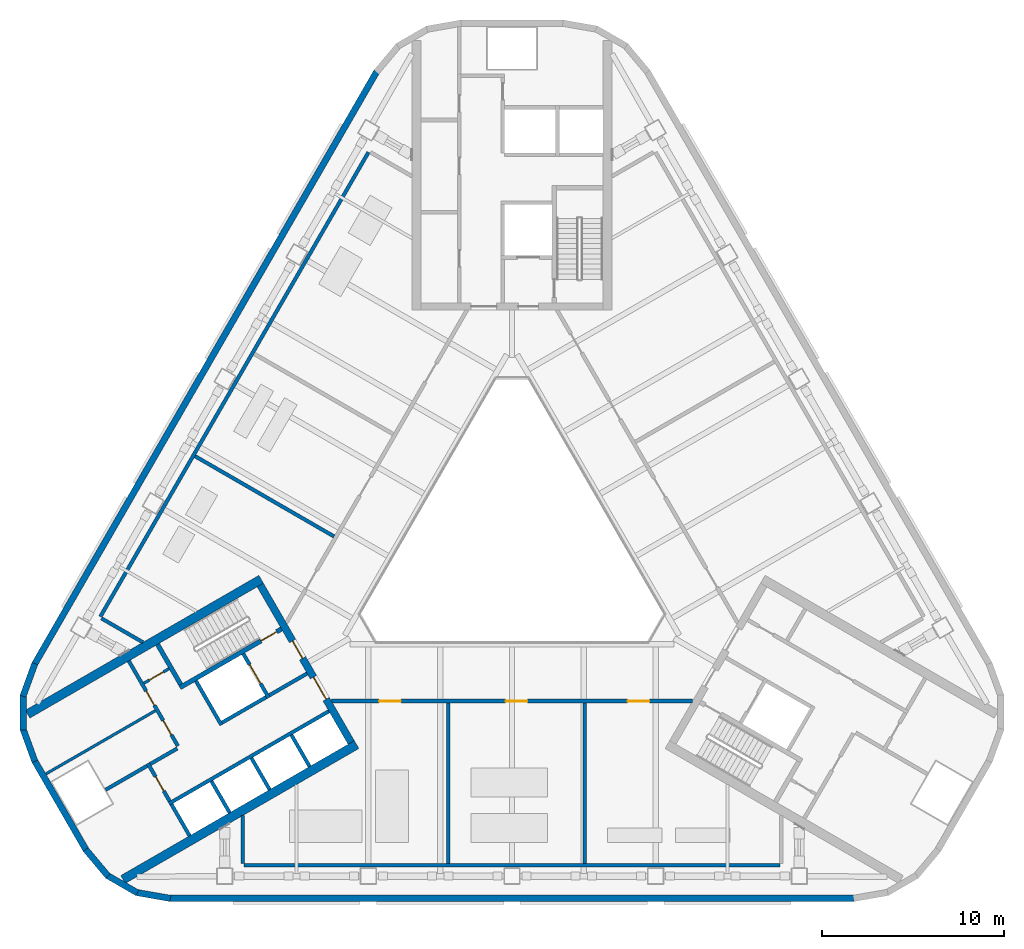
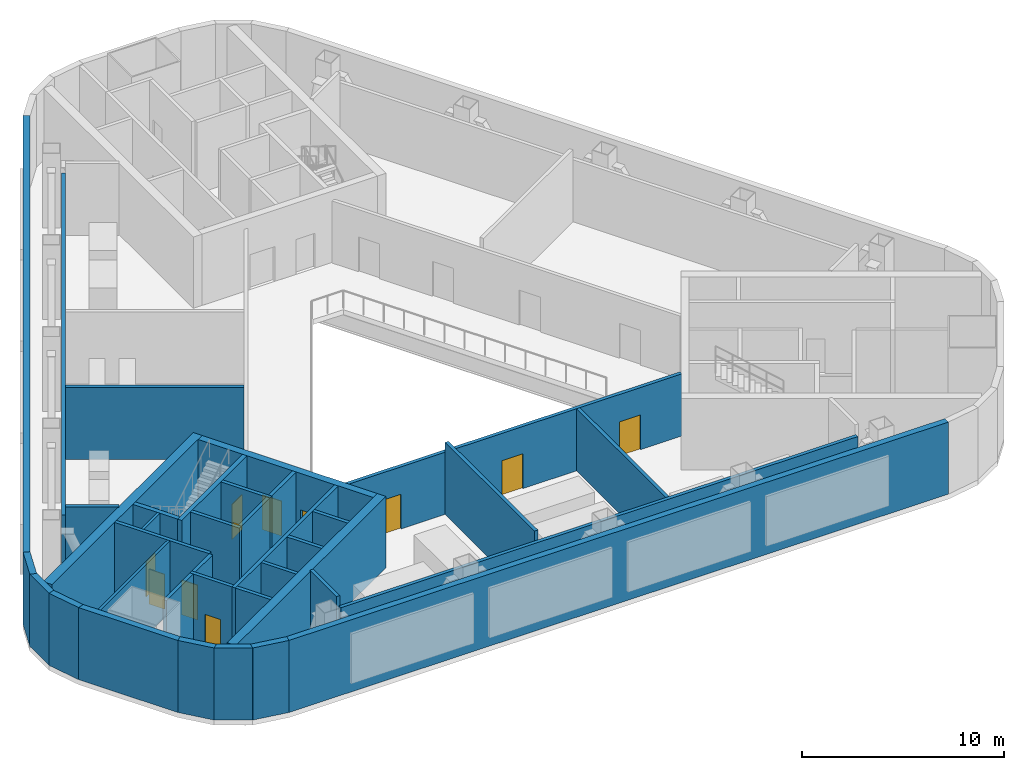
# One storey, part 6 of 14: 37 walls, 11 doors, 11 openings.
"""IFC4 building model written with IfcOpenShell, lengths in metres."""

from ifc_helpers import new_model, si_unit, direction, frame, frame_2d, origin, place, context, subcontext, project, spatial, rectangle, extrude, material, layer, layer_set, type_object, element, fill, save


model = new_model("IFC4")

# Units and contexts
model_context = context("Model", 3, precision=1e-05, world=origin(), true_north=direction((0.0, 1.0)))
body_context = subcontext(model_context, "Body", "Model", "MODEL_VIEW")
ifc_project = project(units=[si_unit("LENGTHUNIT", "METRE"), si_unit("AREAUNIT", "SQUARE_METRE"), si_unit("VOLUMEUNIT", "CUBIC_METRE"), si_unit("PLANEANGLEUNIT", "RADIAN"), si_unit("MASSUNIT", "GRAM", prefix="KILO")], contexts=[model_context])

# Site, building, storey
site_placement = place(None, origin())
site = spatial("IfcSite", under=ifc_project, at=site_placement, CompositionType="ELEMENT")
building_placement = place(site_placement, origin())
building = spatial("IfcBuilding", under=site, at=building_placement, Name="Apuvela Tower Hotel", CompositionType="ELEMENT")
storey_placement = place(building_placement, frame((0.0, 0.0, 142.10009765625)))
storey = spatial("IfcBuildingStorey", under=building, at=storey_placement, Name="L33 Plant", CompositionType="ELEMENT", Elevation=142.10009765625)

# Wall, openings, doors
ifc_material_1 = material(Name="Concrete C50/60", Category="concrete")
ifc_layer_1 = layer(ifc_material_1, 0.39990234375)
ifc_layer_set_1 = layer_set([ifc_layer_1], Name="COR-WALL-CORE-400")
wall_type_1 = type_object("IfcWallType", Name="COR-WALL-CORE-400", PredefinedType="SHEAR", material=ifc_layer_set_1)
wall_1_placement = place(storey_placement, frame((-13.844970703125, -2.219970703125, 0.0), z_axis=(0.0, 0.0, 1.0), x_axis=(0.500004234368, -0.866022959057, 0.0)))
wall_1 = element("IfcWall", 1, at=wall_1_placement, inside=storey, type_object=wall_type_1, Name="Core wall SW", PredefinedType="SHEAR", context=body_context, shape_type="SweptSolid", body=[
    extrude(rectangle(XDim=10.0, YDim=0.39990234375, at=frame_2d((5.0, 0.0))), origin(), (0.0, 0.0, 1.0), 4.2998046875),
])
opening_1_placement = place(wall_1_placement, frame((3.550048828125, 0.0, 0.0)))
opening_1 = element("IfcOpeningElement", 2, at=opening_1_placement, cuts=wall_1, Name="Opening W-FD", PredefinedType="OPENING", context=body_context, shape_type="SweptSolid", body=[
    extrude(rectangle(XDim=1.10009765625, YDim=2.10009765625, at=frame_2d((0.550048828125, 1.050048828125))), frame((0.0, 0.2099609375, 0.0), z_axis=(0.0, -1.0, 0.0), x_axis=(1.0, 0.0, 0.0)), (0.0, 0.0, 1.0), 0.419921875),
])
opening_2_placement = place(wall_1_placement, frame((5.85009765625, 0.0, 0.0)))
opening_2 = element("IfcOpeningElement", 3, at=opening_2_placement, cuts=wall_1, Name="Opening W-GD", PredefinedType="OPENING", context=body_context, shape_type="SweptSolid", body=[
    extrude(rectangle(XDim=1.39990234375, YDim=2.10009765625, at=frame_2d((0.699951171875, 1.050048828125))), frame((0.0, 0.2099609375, 0.0), z_axis=(0.0, -1.0, 0.0), x_axis=(1.0, 0.0, 0.0)), (0.0, 0.0, 1.0), 0.419921875),
])
ifc_material_2 = material(Name="Steel fire door, powder coated", Category="steel")
door_type_1 = type_object("IfcDoorType", Name="COR-FD-1100", OperationType="NOTDEFINED", PredefinedType="DOOR", material=ifc_material_2)
door_1_placement = place(opening_1_placement, frame((1.10009765625, 0.0, 0.0), z_axis=(0.0, 0.0, 1.0), x_axis=(-1.0, 0.0, 0.0)))
door_1 = element("IfcDoor", 4, at=door_1_placement, inside=storey, type_object=door_type_1, Name="Firefighting lobby door W-FD", OperationType="SINGLE_SWING_LEFT", OverallHeight=2.10009765625, OverallWidth=1.10009765625, PredefinedType="DOOR", context=body_context, shape_type="SweptSolid", body=[
    extrude(rectangle(XDim=1.10009765625, YDim=2.10009765625, at=frame_2d((0.550048828125, 1.050048828125))), frame((0.0, 0.02490234375, 0.0), z_axis=(0.0, -1.0, 0.0), x_axis=(1.0, 0.0, 0.0)), (0.0, 0.0, 1.0), 0.050048828125),
])
fill(opening_1, door_1)
ifc_material_3 = material(Name="Glazed steel fire door", Category="steel")
door_type_2 = type_object("IfcDoorType", Name="COR-GD-1400", OperationType="DOUBLE_DOOR_SINGLE_SWING", PredefinedType="DOOR", material=ifc_material_3)
door_2_placement = place(opening_2_placement, frame((1.39990234375, 0.0, 0.0), z_axis=(0.0, 0.0, 1.0), x_axis=(-1.0, 0.0, 0.0)))
door_2 = element("IfcDoor", 5, at=door_2_placement, inside=storey, type_object=door_type_2, Name="Lift lobby door W-GD", OperationType="DOUBLE_DOOR_SINGLE_SWING", OverallHeight=2.10009765625, OverallWidth=1.39990234375, PredefinedType="DOOR", context=body_context, shape_type="SweptSolid", body=[
    extrude(rectangle(XDim=1.39990234375, YDim=2.10009765625, at=frame_2d((0.699951171875, 1.050048828125))), frame((0.0, 0.02490234375, 0.0), z_axis=(0.0, -1.0, 0.0), x_axis=(1.0, 0.0, 0.0)), (0.0, 0.0, 1.0), 0.050048828125),
])
fill(opening_2, door_2)

# Walls
ifc_layer_2 = layer(ifc_material_1, 0.5)
ifc_layer_set_2 = layer_set([ifc_layer_2], Name="COR-WALL-CORE-500")
wall_type_2 = type_object("IfcWallType", Name="COR-WALL-CORE-500", PredefinedType="SHEAR", material=ifc_layer_set_2)
for number, where, z_axis, x_axis, name in (
    (6, (-13.796630859375, -1.9033203125, 0.0), (0.0, 0.0, 1.0), (-0.866025009528, -0.500000682871, 0.0), "Core wall SW"),
    (7, (-8.546630859375, -10.99658203125, 0.0), (0.0, 0.0, 1.0), (-0.866025009528, -0.500000682871, 0.0), "Core wall SW"),
):
    element("IfcWall", number, at=place(storey_placement, frame(where, z_axis=z_axis, x_axis=x_axis)), inside=storey, type_object=wall_type_2, Name=name, PredefinedType="SHEAR", context=body_context, shape_type="SweptSolid", body=[
        extrude(rectangle(XDim=14.8369140625, YDim=0.5, at=frame_2d((7.41845703125, 0.0))), origin(), (0.0, 0.0, 1.0), 4.2998046875),
    ])

# Wall, opening, door
ifc_material_4 = material(Name="Blockwork 150 mm plastered", Category="masonry")
ifc_layer_3 = layer(ifc_material_4, 0.14990234375)
ifc_layer_set_3 = layer_set([ifc_layer_3], Name="COR-WALL-PART-150")
wall_type_3 = type_object("IfcWallType", Name="COR-WALL-PART-150", PredefinedType="PARTITIONING", material=ifc_layer_set_3)
wall_2_placement = place(storey_placement, frame((-18.866455078125, -6.822265625, 0.0), z_axis=(0.0, 0.0, 1.0), x_axis=(-0.866028054938, -0.499995408039, 0.0)))
wall_2 = element("IfcWall", 8, at=wall_2_placement, inside=storey, type_object=wall_type_3, Name="Partition SW", PredefinedType="PARTITIONING", context=body_context, shape_type="SweptSolid", body=[
    extrude(rectangle(XDim=1.60009765625, YDim=0.14990234375, at=frame_2d((0.800048828125, 0.0))), origin(), (0.0, 0.0, 1.0), 4.2998046875),
])
opening_3_placement = place(wall_2_placement, frame((0.35009765625, 0.0, 0.0)))
opening_3 = element("IfcOpeningElement", 9, at=opening_3_placement, cuts=wall_2, Name="Opening W-RD", PredefinedType="OPENING", context=body_context, shape_type="SweptSolid", body=[
    extrude(rectangle(XDim=0.89990234375, YDim=2.10009765625, at=frame_2d((0.449951171875, 1.050048828125))), frame((0.0, 0.0849609375, 0.0), z_axis=(0.0, -1.0, 0.0), x_axis=(1.0, 0.0, 0.0)), (0.0, 0.0, 1.0), 0.169921875),
])
ifc_material_5 = material(Name="Steel access door, powder coated", Category="steel")
door_type_3 = type_object("IfcDoorType", Name="COR-RD-900", OperationType="NOTDEFINED", PredefinedType="DOOR", material=ifc_material_5)
door_3_placement = place(opening_3_placement, frame((0.89990234375, 0.0, 0.0), z_axis=(0.0, 0.0, 1.0), x_axis=(-1.0, 0.0, 0.0)))
door_3 = element("IfcDoor", 10, at=door_3_placement, inside=storey, type_object=door_type_3, Name="Riser door W-RD", OperationType="SINGLE_SWING_RIGHT", OverallHeight=2.10009765625, OverallWidth=0.89990234375, PredefinedType="DOOR", context=body_context, shape_type="SweptSolid", body=[
    extrude(rectangle(XDim=0.89990234375, YDim=2.10009765625, at=frame_2d((0.449951171875, 1.050048828125))), frame((0.0, 0.02490234375, 0.0), z_axis=(0.0, -1.0, 0.0), x_axis=(1.0, 0.0, 0.0)), (0.0, 0.0, 1.0), 0.050048828125),
])
fill(opening_3, door_3)

# Wall
wall_3_placement = place(storey_placement, frame((-19.61279296875, -9.129638671875, 0.0), z_axis=(0.0, 0.0, 1.0), x_axis=(-0.866031734426, -0.499989034847, 0.0)))
element("IfcWall", 11, at=wall_3_placement, inside=storey, type_object=wall_type_3, Name="Partition SW", PredefinedType="PARTITIONING", context=body_context, shape_type="SweptSolid", body=[
    extrude(rectangle(XDim=6.949951171875, YDim=0.14990234375, at=frame_2d((3.47509765625, 0.0))), origin(), (0.0, 0.0, 1.0), 4.2998046875),
])

# Wall, openings, doors
ifc_material_6 = material(Name="Blockwork 200 mm plastered", Category="masonry")
ifc_layer_4 = layer(ifc_material_6, 0.199951171875)
ifc_layer_set_4 = layer_set([ifc_layer_4], Name="COR-WALL-PART-200")
wall_type_4 = type_object("IfcWallType", Name="COR-WALL-PART-200", PredefinedType="PARTITIONING", material=ifc_layer_set_4)
wall_4_placement = place(storey_placement, frame((-21.076171875, -6.39501953125, 0.0), z_axis=(0.0, 0.0, 1.0), x_axis=(0.50001468107, -0.866016927499, 0.0)))
wall_4 = element("IfcWall", 12, at=wall_4_placement, inside=storey, type_object=wall_type_4, Name="Partition SW", PredefinedType="PARTITIONING", context=body_context, shape_type="SweptSolid", body=[
    extrude(rectangle(XDim=5.399658203125, YDim=0.199951171875, at=frame_2d((2.69970703125, 0.0))), origin(), (0.0, 0.0, 1.0), 4.2998046875),
])
opening_4_placement = place(wall_4_placement, frame((1.91259765625, 0.0, 0.0)))
opening_4 = element("IfcOpeningElement", 13, at=opening_4_placement, cuts=wall_4, Name="Opening W-RS1", PredefinedType="OPENING", context=body_context, shape_type="SweptSolid", body=[
    extrude(rectangle(XDim=0.89990234375, YDim=2.10009765625, at=frame_2d((0.449951171875, 1.050048828125))), frame((0.0, 0.10986328125, 0.0), z_axis=(0.0, -1.0, 0.0), x_axis=(1.0, 0.0, 0.0)), (0.0, 0.0, 1.0), 0.219970703125),
])
opening_5_placement = place(wall_4_placement, frame((3.78759765625, 0.0, 0.0)))
opening_5 = element("IfcOpeningElement", 14, at=opening_5_placement, cuts=wall_4, Name="Opening W-RS2", PredefinedType="OPENING", context=body_context, shape_type="SweptSolid", body=[
    extrude(rectangle(XDim=0.89990234375, YDim=2.10009765625, at=frame_2d((0.449951171875, 1.050048828125))), frame((0.0, 0.10986328125, 0.0), z_axis=(0.0, -1.0, 0.0), x_axis=(1.0, 0.0, 0.0)), (0.0, 0.0, 1.0), 0.219970703125),
])
door_type_4 = type_object("IfcDoorType", Name="COR-DR-900", OperationType="NOTDEFINED", PredefinedType="DOOR", material=ifc_material_2)
door_4_placement = place(opening_4_placement, frame((0.89990234375, 0.0, 0.0), z_axis=(0.0, 0.0, 1.0), x_axis=(-1.0, 0.0, 0.0)))
door_4 = element("IfcDoor", 15, at=door_4_placement, inside=storey, type_object=door_type_4, Name="Store door W-RS1", OperationType="SINGLE_SWING_LEFT", OverallHeight=2.10009765625, OverallWidth=0.89990234375, PredefinedType="DOOR", context=body_context, shape_type="SweptSolid", body=[
    extrude(rectangle(XDim=0.89990234375, YDim=2.10009765625, at=frame_2d((0.449951171875, 1.050048828125))), frame((0.0, 0.02490234375, 0.0), z_axis=(0.0, -1.0, 0.0), x_axis=(1.0, 0.0, 0.0)), (0.0, 0.0, 1.0), 0.050048828125),
])
fill(opening_4, door_4)
door_5_placement = place(opening_5_placement, frame((0.89990234375, 0.0, 0.0), z_axis=(0.0, 0.0, 1.0), x_axis=(-1.0, 0.0, 0.0)))
door_5 = element("IfcDoor", 16, at=door_5_placement, inside=storey, type_object=door_type_4, Name="Store door W-RS2", OperationType="SINGLE_SWING_LEFT", OverallHeight=2.10009765625, OverallWidth=0.89990234375, PredefinedType="DOOR", context=body_context, shape_type="SweptSolid", body=[
    extrude(rectangle(XDim=0.89990234375, YDim=2.10009765625, at=frame_2d((0.449951171875, 1.050048828125))), frame((0.0, 0.02490234375, 0.0), z_axis=(0.0, -1.0, 0.0), x_axis=(1.0, 0.0, 0.0)), (0.0, 0.0, 1.0), 0.050048828125),
])
fill(opening_5, door_5)

# Wall
ifc_layer_5 = layer(ifc_material_1, 0.199951171875)
ifc_layer_set_5 = layer_set([ifc_layer_5], Name="COR-WALL-SHAFT-200")
wall_type_5 = type_object("IfcWallType", Name="COR-WALL-SHAFT-200", PredefinedType="SHEAR", material=ifc_layer_set_5)
wall_5_placement = place(storey_placement, frame((-17.38134765625, -7.49462890625, 0.0), z_axis=(0.0, 0.0, 1.0), x_axis=(0.500011755427, -0.866018616679, 0.0)))
element("IfcWall", 17, at=wall_5_placement, inside=storey, type_object=wall_type_5, Name="Shaft wall SW", PredefinedType="SHEAR", context=body_context, shape_type="SweptSolid", body=[
    extrude(rectangle(XDim=2.80029296875, YDim=0.199951171875, at=frame_2d((1.400146484375, 0.0))), origin(), (0.0, 0.0, 1.0), 4.2998046875),
])

# Wall, opening, door
wall_6_placement = place(storey_placement, frame((-14.783203125, -5.99462890625, 0.0), z_axis=(0.0, 0.0, 1.0), x_axis=(0.49994636267, -0.866056369097, 0.0)))
wall_6 = element("IfcWall", 18, at=wall_6_placement, inside=storey, type_object=wall_type_5, Name="Shaft wall SW", PredefinedType="SHEAR", context=body_context, shape_type="SweptSolid", body=[
    extrude(rectangle(XDim=2.800048828125, YDim=0.199951171875, at=frame_2d((1.39990234375, 0.0))), origin(), (0.0, 0.0, 1.0), 4.2998046875),
])
opening_6_placement = place(wall_6_placement, frame((0.699951171875, 0.0, 0.0)))
opening_6 = element("IfcOpeningElement", 19, at=opening_6_placement, cuts=wall_6, Name="Opening W-LD-FS2", PredefinedType="OPENING", context=body_context, shape_type="SweptSolid", body=[
    extrude(rectangle(XDim=1.199951171875, YDim=2.10009765625, at=frame_2d((0.60009765625, 1.050048828125))), frame((0.0, 0.10986328125, 0.0), z_axis=(0.0, -1.0, 0.0), x_axis=(1.0, 0.0, 0.0)), (0.0, 0.0, 1.0), 0.219970703125),
])
ifc_material_7 = material(Name="Stainless steel lift landing door", Category="steel")
door_type_5 = type_object("IfcDoorType", Name="COR-LD-1200", OperationType="DOUBLE_DOOR_SLIDING", PredefinedType="DOOR", material=ifc_material_7)
door_6_placement = place(opening_6_placement, origin())
door_6 = element("IfcDoor", 20, at=door_6_placement, inside=storey, type_object=door_type_5, Name="Lift landing door W-LD-FS2", OperationType="DOUBLE_DOOR_SLIDING", OverallHeight=2.10009765625, OverallWidth=1.199951171875, PredefinedType="DOOR", context=body_context, shape_type="SweptSolid", body=[
    extrude(rectangle(XDim=1.199951171875, YDim=2.10009765625, at=frame_2d((0.60009765625, 1.050048828125))), frame((0.0, 0.02490234375, 0.0), z_axis=(0.0, -1.0, 0.0), x_axis=(1.0, 0.0, 0.0)), (0.0, 0.0, 1.0), 0.050048828125),
])
fill(opening_6, door_6)

# Walls
wall_7_placement = place(storey_placement, frame((-13.519775390625, -8.383056640625, 0.0), z_axis=(0.0, 0.0, 1.0), x_axis=(-0.866034573852, -0.49998411664, 0.0)))
element("IfcWall", 21, at=wall_7_placement, inside=storey, type_object=wall_type_5, Name="Shaft wall SW", PredefinedType="SHEAR", context=body_context, shape_type="SweptSolid", body=[
    extrude(rectangle(XDim=2.7998046875, YDim=0.199951171875, at=frame_2d((1.39990234375, 0.0))), origin(), (0.0, 0.0, 1.0), 4.2998046875),
])
wall_8_placement = place(storey_placement, frame((-11.26806640625, -7.0830078125, 0.0), z_axis=(0.0, 0.0, 1.0), x_axis=(-0.866050077142, -0.499957262057, 0.0)))
element("IfcWall", 22, at=wall_8_placement, inside=storey, type_object=wall_type_5, Name="Shaft wall SW", PredefinedType="SHEAR", context=body_context, shape_type="SweptSolid", body=[
    extrude(rectangle(XDim=2.400146484375, YDim=0.199951171875, at=frame_2d((1.2001953125, 0.0))), origin(), (0.0, 0.0, 1.0), 4.2998046875),
])
wall_9_placement = place(storey_placement, frame((-10.068115234375, -9.16162109375, 0.0), z_axis=(0.0, 0.0, 1.0), x_axis=(-0.866032725843, -0.499987317609, 0.0)))
element("IfcWall", 23, at=wall_9_placement, inside=storey, type_object=wall_type_5, Name="Shaft wall SW", PredefinedType="SHEAR", context=body_context, shape_type="SweptSolid", body=[
    extrude(rectangle(XDim=10.159912109375, YDim=0.199951171875, at=frame_2d((5.080078125, 0.0))), origin(), (0.0, 0.0, 1.0), 4.2998046875),
])

# Wall, opening, door
wall_10_placement = place(storey_placement, frame((-20.030517578125, -12.0263671875, 0.0), z_axis=(0.0, 0.0, 1.0), x_axis=(0.500033551112, -0.866006032174, 0.0)))
wall_10 = element("IfcWall", 24, at=wall_10_placement, inside=storey, type_object=wall_type_5, Name="Shaft wall SW", PredefinedType="SHEAR", context=body_context, shape_type="SweptSolid", body=[
    extrude(rectangle(XDim=2.400146484375, YDim=0.199951171875, at=frame_2d((1.2001953125, 0.0))), origin(), (0.0, 0.0, 1.0), 4.2998046875),
])
opening_7_placement = place(wall_10_placement, frame((0.85009765625, 0.0, 0.0)))
opening_7 = element("IfcOpeningElement", 25, at=opening_7_placement, cuts=wall_10, Name="Opening W-REP", PredefinedType="OPENING", context=body_context, shape_type="SweptSolid", body=[
    extrude(rectangle(XDim=0.89990234375, YDim=2.10009765625, at=frame_2d((0.449951171875, 1.050048828125))), frame((0.0, 0.10986328125, 0.0), z_axis=(0.0, -1.0, 0.0), x_axis=(1.0, 0.0, 0.0)), (0.0, 0.0, 1.0), 0.219970703125),
])
door_7_placement = place(opening_7_placement, frame((0.89990234375, 0.0, 0.0), z_axis=(0.0, 0.0, 1.0), x_axis=(-1.0, 0.0, 0.0)))
door_7 = element("IfcDoor", 26, at=door_7_placement, inside=storey, type_object=door_type_4, Name="Store door W-REP", OperationType="SINGLE_SWING_LEFT", OverallHeight=2.10009765625, OverallWidth=0.89990234375, PredefinedType="DOOR", context=body_context, shape_type="SweptSolid", body=[
    extrude(rectangle(XDim=0.89990234375, YDim=2.10009765625, at=frame_2d((0.449951171875, 1.050048828125))), frame((0.0, 0.02490234375, 0.0), z_axis=(0.0, -1.0, 0.0), x_axis=(1.0, 0.0, 0.0)), (0.0, 0.0, 1.0), 0.050048828125),
])
fill(opening_7, door_7)

# Walls
wall_11_placement = place(storey_placement, frame((-18.412841796875, -11.2080078125, 0.0), z_axis=(0.0, 0.0, 1.0), x_axis=(-0.866038183914, -0.499977863513, 0.0)))
element("IfcWall", 27, at=wall_11_placement, inside=storey, type_object=wall_type_5, Name="Shaft wall SW", PredefinedType="SHEAR", context=body_context, shape_type="SweptSolid", body=[
    extrude(rectangle(XDim=1.7099609375, YDim=0.199951171875, at=frame_2d((0.85498046875, 0.0))), origin(), (0.0, 0.0, 1.0), 4.2998046875),
])
for number, where, z_axis, x_axis, name in (
    (28, (-12.131103515625, -10.468017578125, 0.0), (0.0, 0.0, 1.0), (0.499972520799, -0.866041268327, 0.0), "Shaft wall SW"),
    (29, (-14.330810546875, -11.738037109375, 0.0), (0.0, 0.0, 1.0), (0.499972520799, -0.866041268327, 0.0), "Shaft wall SW"),
    (30, (-16.530517578125, -13.008056640625, 0.0), (0.0, 0.0, 1.0), (0.50002537861, -0.866010750942, 0.0), "Shaft wall SW"),
    (31, (-18.73046875, -14.278076171875, 0.0), (0.0, 0.0, 1.0), (0.50002537861, -0.866010750942, 0.0), "Shaft wall SW"),
):
    element("IfcWall", number, at=place(storey_placement, frame(where, z_axis=z_axis, x_axis=x_axis)), inside=storey, type_object=wall_type_5, Name=name, PredefinedType="SHEAR", context=body_context, shape_type="SweptSolid", body=[
        extrude(rectangle(XDim=2.0, YDim=0.199951171875, at=frame_2d((1.0, 0.0))), origin(), (0.0, 0.0, 1.0), 4.2998046875),
    ])
wall_12_placement = place(storey_placement, frame((-20.06689453125, -12.1630859375, 0.0), z_axis=(0.0, 0.0, 1.0), x_axis=(-0.866060851709, -0.499938597367, 0.0)))
element("IfcWall", 32, at=wall_12_placement, inside=storey, type_object=wall_type_5, Name="Shaft wall SW", PredefinedType="SHEAR", context=body_context, shape_type="SweptSolid", body=[
    extrude(rectangle(XDim=2.639892578125, YDim=0.199951171875, at=frame_2d((1.31982421875, 0.0))), origin(), (0.0, 0.0, 1.0), 4.2998046875),
])

# Wall, opening, door
ifc_layer_6 = layer(ifc_material_1, 0.25)
ifc_layer_set_6 = layer_set([ifc_layer_6], Name="COR-WALL-STAIR-250")
wall_type_6 = type_object("IfcWallType", Name="COR-WALL-STAIR-250", PredefinedType="SHEAR", material=ifc_layer_set_6)
wall_13_placement = place(storey_placement, frame((-12.6806640625, -4.636474609375, 0.0), z_axis=(0.0, 0.0, 1.0), x_axis=(-0.866021702275, -0.500006411147, 0.0)))
wall_13 = element("IfcWall", 33, at=wall_13_placement, inside=storey, type_object=wall_type_6, Name="Stair wall SW", PredefinedType="SHEAR", context=body_context, shape_type="SweptSolid", body=[
    extrude(rectangle(XDim=6.4501953125, YDim=0.25, at=frame_2d((3.22509765625, 0.0))), origin(), (0.0, 0.0, 1.0), 4.2998046875),
])
opening_8_placement = place(wall_13_placement, frame((0.300048828125, 0.0, 0.0)))
opening_8 = element("IfcOpeningElement", 34, at=opening_8_placement, cuts=wall_13, Name="Opening W-SD", PredefinedType="OPENING", context=body_context, shape_type="SweptSolid", body=[
    extrude(rectangle(XDim=1.0, YDim=2.10009765625, at=frame_2d((0.5, 1.050048828125))), frame((0.0, 0.135009765625, 0.0), z_axis=(0.0, -1.0, 0.0), x_axis=(1.0, 0.0, 0.0)), (0.0, 0.0, 1.0), 0.27001953125),
])
door_type_6 = type_object("IfcDoorType", Name="COR-SD-1000", OperationType="NOTDEFINED", PredefinedType="DOOR", material=ifc_material_2)
door_8_placement = place(opening_8_placement, frame((1.0, 0.0, 0.0), z_axis=(0.0, 0.0, 1.0), x_axis=(-1.0, 0.0, 0.0)))
door_8 = element("IfcDoor", 35, at=door_8_placement, inside=storey, type_object=door_type_6, Name="Stair door W-SD", OperationType="SINGLE_SWING_LEFT", OverallHeight=2.10009765625, OverallWidth=1.0, PredefinedType="DOOR", context=body_context, shape_type="SweptSolid", body=[
    extrude(rectangle(XDim=1.0, YDim=2.10009765625, at=frame_2d((0.5, 1.050048828125))), frame((0.0, 0.02490234375, 0.0), z_axis=(0.0, -1.0, 0.0), x_axis=(1.0, 0.0, 0.0)), (0.0, 0.0, 1.0), 0.050048828125),
])
fill(opening_8, door_8)

# Walls
wall_14_placement = place(storey_placement, frame((-19.49560546875, -5.482421875, 0.0), z_axis=(0.0, 0.0, 1.0), x_axis=(0.499990435942, -0.866030925526, 0.0)))
element("IfcWall", 36, at=wall_14_placement, inside=storey, type_object=wall_type_6, Name="Stair wall SW", PredefinedType="SHEAR", context=body_context, shape_type="SweptSolid", body=[
    extrude(rectangle(XDim=2.5498046875, YDim=0.25, at=frame_2d((1.27490234375, 0.0))), origin(), (0.0, 0.0, 1.0), 4.2998046875),
])
ifc_material_8 = material(Name="Concrete C40/50, dark pigmented precast panel", Category="concrete")
ifc_layer_7 = layer(ifc_material_8, 0.35009765625)
ifc_layer_set_7 = layer_set([ifc_layer_7], Name="ENV-WALL-350")
wall_type_7 = type_object("IfcWallType", Name="ENV-WALL-350", PredefinedType="SOLIDWALL", material=ifc_layer_set_7)
wall_15_placement = place(storey_placement, frame((-7.440673828125, 26.0224609375, 0.0), z_axis=(0.0, 0.0, 1.0), x_axis=(-0.499998380999, -0.866026338513, 0.0)))
element("IfcWall", 37, at=wall_15_placement, inside=storey, type_object=wall_type_7, Name="External wall L33 Plant-07", PredefinedType="SOLIDWALL", context=body_context, shape_type="SweptSolid", body=[
    extrude(rectangle(XDim=37.63134765625, YDim=0.35009765625, at=frame_2d((18.815673828125, 0.0))), origin(), (0.0, 0.0, 1.0), 4.349853515625),
])
for number, where, z_axis, x_axis, name in (
    (38, (-26.24365234375, -6.539794921875, 0.0), (0.0, 0.0, 1.0), (-0.342030395486, -0.939688889242, 0.0), "External wall L33 Plant-08"),
    (39, (-26.88623046875, -8.27490234375, 0.0), (0.0, 0.0, 1.0), (0.0, -1.0, 0.0), "External wall L33 Plant-09"),
    (40, (-26.89697265625, -10.125244140625, 0.0), (0.0, 0.0, 1.0), (0.342030395486, -0.939688889242, 0.0), "External wall L33 Plant-10"),
):
    element("IfcWall", number, at=place(storey_placement, frame(where, z_axis=z_axis, x_axis=x_axis)), inside=storey, type_object=wall_type_7, Name=name, PredefinedType="SOLIDWALL", context=body_context, shape_type="SweptSolid", body=[
        extrude(rectangle(XDim=1.91015625, YDim=0.35009765625, at=frame_2d((0.955078125, 0.0))), origin(), (0.0, 0.0, 1.0), 4.349853515625),
    ])
wall_16_placement = place(storey_placement, frame((-26.25634765625, -11.892578125, 0.0), z_axis=(0.0, 0.0, 1.0), x_axis=(0.499986410639, -0.866033249463, 0.0)))
element("IfcWall", 41, at=wall_16_placement, inside=storey, type_object=wall_type_7, Name="External wall L33 Plant-11", PredefinedType="SOLIDWALL", context=body_context, shape_type="SweptSolid", body=[
    extrude(rectangle(XDim=5.657958984375, YDim=0.35009765625, at=frame_2d((2.8291015625, 0.0))), origin(), (0.0, 0.0, 1.0), 4.349853515625),
])
for number, where, z_axis, x_axis, name in (
    (42, (-23.44482421875, -16.767578125, 0.0), (0.0, 0.0, 1.0), (0.642808304945, -0.766027077259, 0.0), "External wall L33 Plant-12"),
    (43, (-22.263671875, -18.191650390625, 0.0), (0.0, 0.0, 1.0), (0.866000389056, -0.500043324278, 0.0), "External wall L33 Plant-13"),
):
    element("IfcWall", number, at=place(storey_placement, frame(where, z_axis=z_axis, x_axis=x_axis)), inside=storey, type_object=wall_type_7, Name=name, PredefinedType="SOLIDWALL", context=body_context, shape_type="SweptSolid", body=[
        extrude(rectangle(XDim=1.909912109375, YDim=0.35009765625, at=frame_2d((0.955078125, 0.0))), origin(), (0.0, 0.0, 1.0), 4.349853515625),
    ])
wall_17_placement = place(storey_placement, frame((-20.66650390625, -19.1259765625, 0.0), z_axis=(0.0, 0.0, 1.0), x_axis=(0.984798995425, -0.173697837091, 0.0)))
element("IfcWall", 44, at=wall_17_placement, inside=storey, type_object=wall_type_7, Name="External wall L33 Plant-14", PredefinedType="SOLIDWALL", context=body_context, shape_type="SweptSolid", body=[
    extrude(rectangle(XDim=1.91015625, YDim=0.35009765625, at=frame_2d((0.955078125, 0.0))), origin(), (0.0, 0.0, 1.0), 4.349853515625),
])
wall_18_placement = place(storey_placement, frame((-18.81591796875, -19.455078125, 0.0), z_axis=(0.0, 0.0, 1.0), x_axis=(1.0, 0.0, 0.0)))
element("IfcWall", 45, at=wall_18_placement, inside=storey, type_object=wall_type_7, Name="External wall L33 Plant-15", PredefinedType="SOLIDWALL", context=body_context, shape_type="SweptSolid", body=[
    extrude(rectangle(XDim=37.6318359375, YDim=0.35009765625, at=frame_2d((18.81591796875, 0.0))), origin(), (0.0, 0.0, 1.0), 4.349853515625),
])
ifc_material_9 = material(Name="Reinforced blockwork B15", Category="masonry")
ifc_layer_8 = layer(ifc_material_9, 0.199951171875)
ifc_layer_set_8 = layer_set([ifc_layer_8], Name="SPC-WALL-PLANT")
wall_type_8 = type_object("IfcWallType", Name="SPC-WALL-PLANT", PredefinedType="PARTITIONING", material=ifc_layer_set_8)
wall_19_placement = place(storey_placement, frame((-14.800048828125, -17.530029296875, 0.0), z_axis=(0.0, 0.0, 1.0), x_axis=(0.0, 1.0, 0.0)))
element("IfcWall", 46, at=wall_19_placement, inside=storey, type_object=wall_type_8, Name="Wall L33-S-P03", PredefinedType="PARTITIONING", context=body_context, shape_type="SweptSolid", body=[
    extrude(rectangle(XDim=2.634521484375, YDim=0.199951171875, at=frame_2d((1.3173828125, 0.0))), origin(), (0.0, 0.0, 1.0), 4.349853515625),
])
wall_20_placement = place(storey_placement, frame((-3.5, -17.530029296875, 0.0), z_axis=(0.0, 0.0, 1.0), x_axis=(0.0, 1.0, 0.0)))
element("IfcWall", 47, at=wall_20_placement, inside=storey, type_object=wall_type_8, Name="Wall L33-S-P04", PredefinedType="PARTITIONING", context=body_context, shape_type="SweptSolid", body=[
    extrude(rectangle(XDim=8.830078125, YDim=0.199951171875, at=frame_2d((4.4150390625, 0.0))), origin(), (0.0, 0.0, 1.0), 4.349853515625),
])
wall_21_placement = place(storey_placement, frame((4.0, -17.530029296875, 0.0), z_axis=(0.0, 0.0, 1.0), x_axis=(0.0, 1.0, 0.0)))
element("IfcWall", 48, at=wall_21_placement, inside=storey, type_object=wall_type_8, Name="Wall L33-S-P05", PredefinedType="PARTITIONING", context=body_context, shape_type="SweptSolid", body=[
    extrude(rectangle(XDim=8.830078125, YDim=0.199951171875, at=frame_2d((4.4150390625, 0.0))), origin(), (0.0, 0.0, 1.0), 3.75),
])
wall_22_placement = place(storey_placement, frame((-14.75, -17.6298828125, 0.0), z_axis=(0.0, 0.0, 1.0), x_axis=(1.0, 0.0, 0.0)))
element("IfcWall", 49, at=wall_22_placement, inside=storey, type_object=wall_type_8, Name="Wall L33-S-FUR2", PredefinedType="PARTITIONING", context=body_context, shape_type="SweptSolid", body=[
    extrude(rectangle(XDim=29.5, YDim=0.199951171875, at=frame_2d((14.75, 0.0))), origin(), (0.0, 0.0, 1.0), 3.75),
])

# Wall, openings, doors
wall_23_placement = place(storey_placement, frame((-9.930419921875, -8.60009765625, 0.0), z_axis=(0.0, 0.0, 1.0), x_axis=(1.0, 0.0, 0.0)))
wall_23 = element("IfcWall", 50, at=wall_23_placement, inside=storey, type_object=wall_type_8, Name="Wall L33-S-CW", PredefinedType="PARTITIONING", context=body_context, shape_type="SweptSolid", body=[
    extrude(rectangle(XDim=19.86083984375, YDim=0.199951171875, at=frame_2d((9.930419921875, 0.0))), origin(), (0.0, 0.0, 1.0), 3.75),
])
opening_9_placement = place(wall_23_placement, frame((2.62109375, 0.0, 0.0)))
opening_9 = element("IfcOpeningElement", 51, at=opening_9_placement, cuts=wall_23, Name="Opening L33-S08", PredefinedType="OPENING", context=body_context, shape_type="SweptSolid", body=[
    extrude(rectangle(XDim=1.199951171875, YDim=2.10009765625, at=frame_2d((0.60009765625, 1.050048828125))), frame((0.0, 0.10986328125, 0.0), z_axis=(0.0, -1.0, 0.0), x_axis=(1.0, 0.0, 0.0)), (0.0, 0.0, 1.0), 0.219970703125),
])
opening_10_placement = place(wall_23_placement, frame((9.58056640625, 0.0, 0.0)))
opening_10 = element("IfcOpeningElement", 52, at=opening_10_placement, cuts=wall_23, Name="Opening L33-S09", PredefinedType="OPENING", context=body_context, shape_type="SweptSolid", body=[
    extrude(rectangle(XDim=1.199951171875, YDim=2.10009765625, at=frame_2d((0.60009765625, 1.050048828125))), frame((0.0, 0.10986328125, 0.0), z_axis=(0.0, -1.0, 0.0), x_axis=(1.0, 0.0, 0.0)), (0.0, 0.0, 1.0), 0.219970703125),
])
opening_11_placement = place(wall_23_placement, frame((16.2900390625, 0.0, 0.0)))
opening_11 = element("IfcOpeningElement", 53, at=opening_11_placement, cuts=wall_23, Name="Opening L33-S10", PredefinedType="OPENING", context=body_context, shape_type="SweptSolid", body=[
    extrude(rectangle(XDim=1.199951171875, YDim=2.10009765625, at=frame_2d((0.60009765625, 1.050048828125))), frame((0.0, 0.10986328125, 0.0), z_axis=(0.0, -1.0, 0.0), x_axis=(1.0, 0.0, 0.0)), (0.0, 0.0, 1.0), 0.219970703125),
])
ifc_material_10 = material(Name="Steel fire door leaf", Category="steel")
door_type_7 = type_object("IfcDoorType", Name="SPC-DOOR-1200-PLANT", OperationType="NOTDEFINED", PredefinedType="DOOR", material=ifc_material_10)
door_9_placement = place(opening_9_placement, frame((1.199951171875, 0.0, 0.0), z_axis=(0.0, 0.0, 1.0), x_axis=(-1.0, 0.0, 0.0)))
door_9 = element("IfcDoor", 54, at=door_9_placement, inside=storey, type_object=door_type_7, Name="L33-S08", OperationType="SINGLE_SWING_LEFT", OverallHeight=2.10009765625, OverallWidth=1.199951171875, PredefinedType="DOOR", context=body_context, shape_type="SweptSolid", body=[
    extrude(rectangle(XDim=1.199951171875, YDim=2.10009765625, at=frame_2d((0.60009765625, 1.050048828125))), frame((0.0, 0.02490234375, 0.0), z_axis=(0.0, -1.0, 0.0), x_axis=(1.0, 0.0, 0.0)), (0.0, 0.0, 1.0), 0.050048828125),
])
fill(opening_9, door_9)
door_10_placement = place(opening_10_placement, frame((1.199951171875, 0.0, 0.0), z_axis=(0.0, 0.0, 1.0), x_axis=(-1.0, 0.0, 0.0)))
door_10 = element("IfcDoor", 55, at=door_10_placement, inside=storey, type_object=door_type_7, Name="L33-S09", OperationType="SINGLE_SWING_RIGHT", OverallHeight=2.10009765625, OverallWidth=1.199951171875, PredefinedType="DOOR", context=body_context, shape_type="SweptSolid", body=[
    extrude(rectangle(XDim=1.199951171875, YDim=2.10009765625, at=frame_2d((0.60009765625, 1.050048828125))), frame((0.0, 0.02490234375, 0.0), z_axis=(0.0, -1.0, 0.0), x_axis=(1.0, 0.0, 0.0)), (0.0, 0.0, 1.0), 0.050048828125),
])
fill(opening_10, door_10)
door_11_placement = place(opening_11_placement, frame((1.199951171875, 0.0, 0.0), z_axis=(0.0, 0.0, 1.0), x_axis=(-1.0, 0.0, 0.0)))
door_11 = element("IfcDoor", 56, at=door_11_placement, inside=storey, type_object=door_type_7, Name="L33-S10", OperationType="SINGLE_SWING_LEFT", OverallHeight=2.10009765625, OverallWidth=1.199951171875, PredefinedType="DOOR", context=body_context, shape_type="SweptSolid", body=[
    extrude(rectangle(XDim=1.199951171875, YDim=2.10009765625, at=frame_2d((0.60009765625, 1.050048828125))), frame((0.0, 0.02490234375, 0.0), z_axis=(0.0, -1.0, 0.0), x_axis=(1.0, 0.0, 0.0)), (0.0, 0.0, 1.0), 0.050048828125),
])
fill(opening_11, door_11)

# Walls
wall_24_placement = place(storey_placement, frame((-17.431396484375, 4.867919921875, 0.0), z_axis=(0.0, 0.0, 1.0), x_axis=(0.866022591837, -0.500004870404, 0.0)))
element("IfcWall", 57, at=wall_24_placement, inside=storey, type_object=wall_type_8, Name="Wall L33-NW-P05", PredefinedType="PARTITIONING", context=body_context, shape_type="SweptSolid", body=[
    extrude(rectangle(XDim=8.830078125, YDim=0.199951171875, at=frame_2d((4.4150390625, 0.0))), origin(), (0.0, 0.0, 1.0), 4.349853515625),
])
wall_25_placement = place(storey_placement, frame((-22.581298828125, -4.05224609375, 0.0), z_axis=(0.0, 0.0, 1.0), x_axis=(0.866038977738, -0.499976488486, 0.0)))
element("IfcWall", 58, at=wall_25_placement, inside=storey, type_object=wall_type_8, Name="Wall L33-NW-P06", PredefinedType="PARTITIONING", context=body_context, shape_type="SweptSolid", body=[
    extrude(rectangle(XDim=2.634521484375, YDim=0.199951171875, at=frame_2d((1.3173828125, 0.0))), origin(), (0.0, 0.0, 1.0), 4.349853515625),
])
wall_26_placement = place(storey_placement, frame((-7.89306640625, 21.5888671875, 0.0), z_axis=(0.0, 0.0, 1.0), x_axis=(-0.499998500593, -0.866026269466, 0.0)))
element("IfcWall", 59, at=wall_26_placement, inside=storey, type_object=wall_type_8, Name="Wall L33-NW-FUR1", PredefinedType="PARTITIONING", context=body_context, shape_type="SweptSolid", body=[
    extrude(rectangle(XDim=29.5, YDim=0.199951171875, at=frame_2d((14.75, 0.0))), origin(), (0.0, 0.0, 1.0), 3.75),
])

save(model, "model.ifc")
